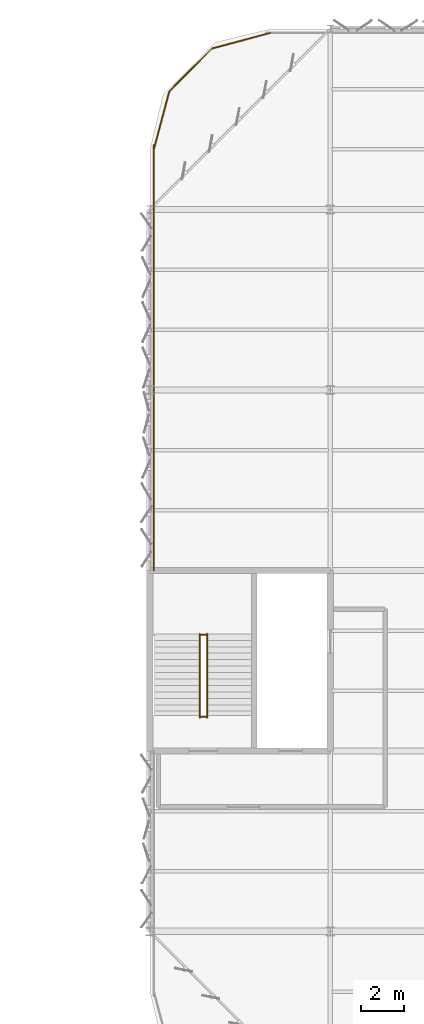
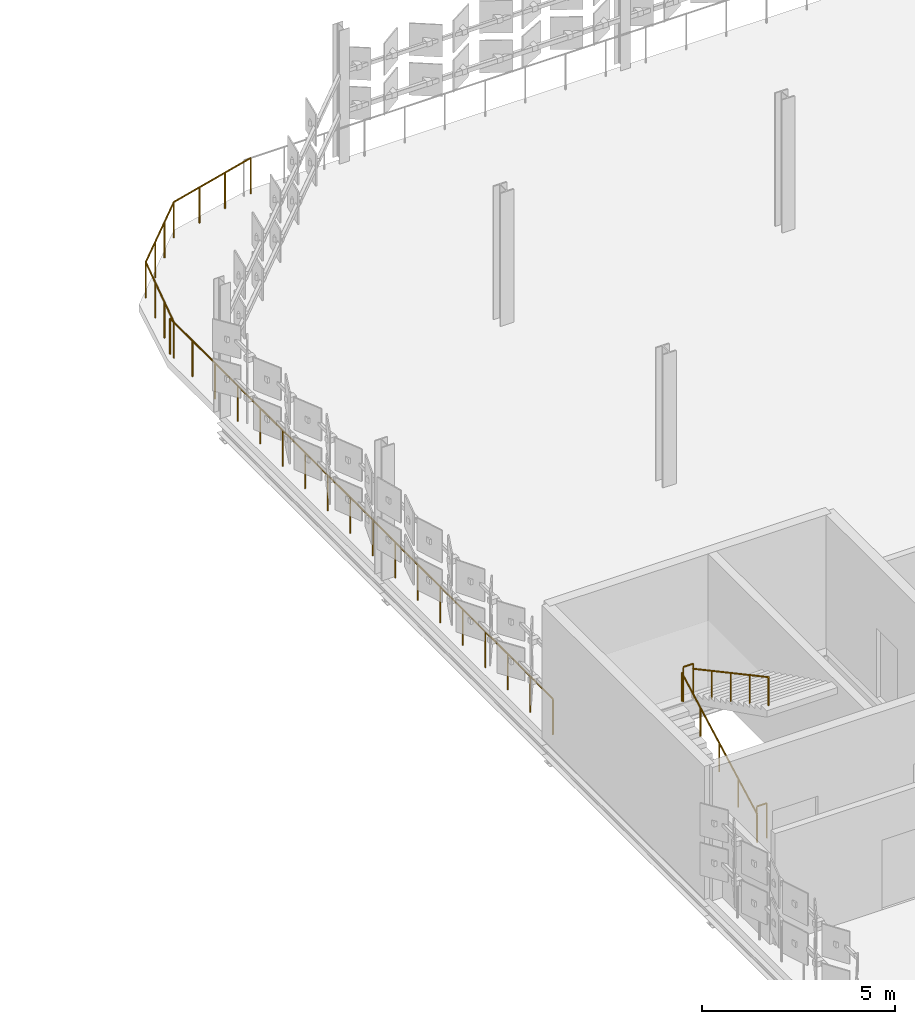
# One storey, part 158 of 163: 6 railings.
"""IFC4 building model written with IfcOpenShell, lengths in metres."""

from ifc_helpers import new_model, si_unit, direction, frame, origin, origin_2d, place, context, subcontext, project, spatial, circle, extrude, material, type_object, element, save


model = new_model("IFC4")

# Units and contexts
model_context = context("Model", 3, precision=1e-05, world=origin(), true_north=direction((0.0, 1.0)))
body_context = subcontext(model_context, "Body", "Model", "MODEL_VIEW")
ifc_project = project(units=[si_unit("LENGTHUNIT", "METRE"), si_unit("AREAUNIT", "SQUARE_METRE"), si_unit("VOLUMEUNIT", "CUBIC_METRE"), si_unit("PLANEANGLEUNIT", "RADIAN"), si_unit("MASSUNIT", "GRAM", prefix="KILO")], contexts=[model_context])

# Site, building, storey
site_placement = place(None, origin())
site = spatial("IfcSite", under=ifc_project, at=site_placement, CompositionType="ELEMENT")
building_placement = place(site_placement, origin())
building = spatial("IfcBuilding", under=site, at=building_placement, Name="Qalvenar Corner Mobility Hub", CompositionType="ELEMENT")
storey_placement = place(building_placement, frame((0.0, 0.0, 4.800048828125)))
storey = spatial("IfcBuildingStorey", under=building, at=storey_placement, Name="L01", CompositionType="ELEMENT", Elevation=4.800048828125)

# Railings
ifc_material_1 = material(Name="Art Nouveau Bronze-Finished Steel Balustrade", Category="steel")
railing_type_1 = type_object("IfcRailingType", Name="RL-GUARD-110", PredefinedType="GUARDRAIL", material=ifc_material_1)
for number, where, name in (
    (1, (61.139892578125, 85.60009765625, 0.0), "Stair Arrival Slot Guard C3-L01"),
    (2, (61.139892578125, 89.39990234375, 2.099853515625), "Stair Half-Landing Well Guard ST3-L01"),
):
    element("IfcRailing", number, at=place(storey_placement, frame(where)), inside=storey, type_object=railing_type_1, Name=name, PredefinedType="GUARDRAIL", context=body_context, shape_type="SweptSolid", body=[
        extrude(circle(Radius=0.02392578125, at=origin_2d()), frame((0.0, 0.0, 1.09619140625), z_axis=(1.0, 0.0, 0.0), x_axis=(0.0, 1.0, 0.0)), (0.0, 0.0, 1.0), 0.300048828125),
        extrude(circle(Radius=0.02099609375, at=origin_2d()), origin(), (0.0, 0.0, 1.0), 1.072021484375),
        extrude(circle(Radius=0.02099609375, at=origin_2d()), frame((0.300048828125, 0.0, 0.0)), (0.0, 0.0, 1.0), 1.072021484375),
    ])
ifc_material_2 = material(Name="Galvanised Steel Deck Edge Barrier", Category="steel")
railing_type_2 = type_object("IfcRailingType", Name="RL-GUARD-115", PredefinedType="GUARDRAIL", material=ifc_material_2)
railing_1_placement = place(storey_placement, frame((58.97998046875, 112.199951171875, 0.0)))
element("IfcRailing", 3, at=railing_1_placement, inside=storey, type_object=railing_type_2, Name="Parking Deck West-North Barrier L01", PredefinedType="GUARDRAIL", context=body_context, shape_type="SweptSolid", body=[
    extrude(circle(Radius=0.02392578125, at=origin_2d()), frame((0.0, 0.0, 1.1259765625), z_axis=(0.0, -1.0, 0.0), x_axis=(1.0, 0.0, 0.0)), (0.0, 0.0, 1.0), 19.800048828125),
    extrude(circle(Radius=0.02099609375, at=origin_2d()), origin(), (0.0, 0.0, 1.0), 1.101806640625),
    extrude(circle(Radius=0.02099609375, at=origin_2d()), frame((0.0, -1.164794921875, 0.0)), (0.0, 0.0, 1.0), 1.101806640625),
    extrude(circle(Radius=0.02099609375, at=origin_2d()), frame((0.0, -2.329345703125, 0.0)), (0.0, 0.0, 1.0), 1.101806640625),
    extrude(circle(Radius=0.02099609375, at=origin_2d()), frame((0.0, -3.494140625, 0.0)), (0.0, 0.0, 1.0), 1.101806640625),
    extrude(circle(Radius=0.02099609375, at=origin_2d()), frame((0.0, -4.658935546875, 0.0)), (0.0, 0.0, 1.0), 1.101806640625),
    extrude(circle(Radius=0.02099609375, at=origin_2d()), frame((0.0, -5.823486328125, 0.0)), (0.0, 0.0, 1.0), 1.101806640625),
    extrude(circle(Radius=0.02099609375, at=origin_2d()), frame((0.0, -6.98828125, 0.0)), (0.0, 0.0, 1.0), 1.101806640625),
    extrude(circle(Radius=0.02099609375, at=origin_2d()), frame((0.0, -8.153076171875, 0.0)), (0.0, 0.0, 1.0), 1.101806640625),
    extrude(circle(Radius=0.02099609375, at=origin_2d()), frame((0.0, -9.317626953125, 0.0)), (0.0, 0.0, 1.0), 1.101806640625),
    extrude(circle(Radius=0.02099609375, at=origin_2d()), frame((0.0, -10.482421875, 0.0)), (0.0, 0.0, 1.0), 1.101806640625),
    extrude(circle(Radius=0.02099609375, at=origin_2d()), frame((0.0, -11.64697265625, 0.0)), (0.0, 0.0, 1.0), 1.101806640625),
    extrude(circle(Radius=0.02099609375, at=origin_2d()), frame((0.0, -12.811767578125, 0.0)), (0.0, 0.0, 1.0), 1.101806640625),
    extrude(circle(Radius=0.02099609375, at=origin_2d()), frame((0.0, -13.9765625, 0.0)), (0.0, 0.0, 1.0), 1.101806640625),
    extrude(circle(Radius=0.02099609375, at=origin_2d()), frame((0.0, -15.14111328125, 0.0)), (0.0, 0.0, 1.0), 1.101806640625),
    extrude(circle(Radius=0.02099609375, at=origin_2d()), frame((0.0, -16.305908203125, 0.0)), (0.0, 0.0, 1.0), 1.101806640625),
    extrude(circle(Radius=0.02099609375, at=origin_2d()), frame((0.0, -17.470703125, 0.0)), (0.0, 0.0, 1.0), 1.101806640625),
    extrude(circle(Radius=0.02099609375, at=origin_2d()), frame((0.0, -18.63525390625, 0.0)), (0.0, 0.0, 1.0), 1.101806640625),
    extrude(circle(Radius=0.02099609375, at=origin_2d()), frame((0.0, -19.800048828125, 0.0)), (0.0, 0.0, 1.0), 1.101806640625),
])
railing_2_placement = place(storey_placement, frame((64.39990234375, 117.419921875, 0.0)))
element("IfcRailing", 4, at=railing_2_placement, inside=storey, type_object=railing_type_2, Name="Rounded Corner Barrier L01-NW", PredefinedType="GUARDRAIL", context=body_context, shape_type="SweptSolid", body=[
    extrude(circle(Radius=0.02392578125, at=origin_2d()), frame((0.0, 0.0, 1.1259765625), z_axis=(-0.965930961109, -0.258799880931, 0.0), x_axis=(0.258799880931, -0.965930961109, 0.0)), (0.0, 0.0, 1.0), 2.8056640625),
    extrude(circle(Radius=0.02392578125, at=origin_2d()), frame((-2.7099609375, -0.72607421875, 1.1259765625), z_axis=(-0.707106781187, -0.707106781187, 0.0), x_axis=(0.707106781187, -0.707106781187, 0.0)), (0.0, 0.0, 1.0), 2.8056640625),
    extrude(circle(Radius=0.02392578125, at=origin_2d()), frame((-4.69384765625, -2.7099609375, 1.1259765625), z_axis=(-0.258799880931, -0.965930961109, 0.0), x_axis=(0.965930961109, -0.258799880931, 0.0)), (0.0, 0.0, 1.0), 2.8056640625),
    extrude(circle(Radius=0.02099609375, at=origin_2d()), origin(), (0.0, 0.0, 1.0), 1.101806640625),
    extrude(circle(Radius=0.02099609375, at=origin_2d()), frame((-0.9033203125, -0.241943359375, 0.0)), (0.0, 0.0, 1.0), 1.101806640625),
    extrude(circle(Radius=0.02099609375, at=origin_2d()), frame((-1.806640625, -0.484130859375, 0.0)), (0.0, 0.0, 1.0), 1.101806640625),
    extrude(circle(Radius=0.02099609375, at=origin_2d()), frame((-2.7099609375, -0.72607421875, 0.0)), (0.0, 0.0, 1.0), 1.101806640625),
    extrude(circle(Radius=0.02099609375, at=origin_2d()), frame((-3.371337890625, -1.387451171875, 0.0)), (0.0, 0.0, 1.0), 1.101806640625),
    extrude(circle(Radius=0.02099609375, at=origin_2d()), frame((-4.032470703125, -2.048583984375, 0.0)), (0.0, 0.0, 1.0), 1.101806640625),
    extrude(circle(Radius=0.02099609375, at=origin_2d()), frame((-4.69384765625, -2.7099609375, 0.0)), (0.0, 0.0, 1.0), 1.101806640625),
    extrude(circle(Radius=0.02099609375, at=origin_2d()), frame((-4.935791015625, -3.61328125, 0.0)), (0.0, 0.0, 1.0), 1.101806640625),
    extrude(circle(Radius=0.02099609375, at=origin_2d()), frame((-5.177978515625, -4.5166015625, 0.0)), (0.0, 0.0, 1.0), 1.101806640625),
    extrude(circle(Radius=0.02099609375, at=origin_2d()), frame((-5.419921875, -5.419921875, 0.0)), (0.0, 0.0, 1.0), 1.101806640625),
])
ifc_material_3 = material(Name="Brushed Stainless Steel Handrail", Category="steel")
railing_type_3 = type_object("IfcRailingType", Name="RL-HAND-092", PredefinedType="HANDRAIL", material=ifc_material_3)
railing_3_placement = place(storey_placement, frame((61.1201171875, 85.550048828125, 0.0)))
element("IfcRailing", 5, at=railing_3_placement, inside=storey, type_object=railing_type_3, Name="Stair Handrail ST3-L01-1", PredefinedType="HANDRAIL", context=body_context, shape_type="SweptSolid", body=[
    extrude(circle(Radius=0.02392578125, at=origin_2d()), frame((0.0, 0.0, 0.89599609375), z_axis=(0.0, 0.88047994924, 0.474083388219), x_axis=(-1.0, 0.0, 0.0)), (0.0, 0.0, 1.0), 4.42919921875),
    extrude(circle(Radius=0.02099609375, at=origin_2d()), origin(), (0.0, 0.0, 1.0), 0.871826171875),
    extrude(circle(Radius=0.02099609375, at=origin_2d()), frame((0.0, 0.97509765625, 0.52490234375)), (0.0, 0.0, 1.0), 0.871826171875),
    extrude(circle(Radius=0.02099609375, at=origin_2d()), frame((0.0, 1.949951171875, 1.0498046875)), (0.0, 0.0, 1.0), 0.871826171875),
    extrude(circle(Radius=0.02099609375, at=origin_2d()), frame((0.0, 2.9248046875, 1.574951171875)), (0.0, 0.0, 1.0), 0.871826171875),
    extrude(circle(Radius=0.02099609375, at=origin_2d()), frame((0.0, 3.89990234375, 2.099853515625)), (0.0, 0.0, 1.0), 0.871826171875),
])
railing_4_placement = place(storey_placement, frame((61.4599609375, 89.449951171875, 2.099853515625)))
element("IfcRailing", 6, at=railing_4_placement, inside=storey, type_object=railing_type_3, Name="Stair Handrail ST3-L01-2", PredefinedType="HANDRAIL", context=body_context, shape_type="SweptSolid", body=[
    extrude(circle(Radius=0.02392578125, at=origin_2d()), frame((0.0, 0.0, 0.89599609375), z_axis=(0.0, -0.880456940745, 0.474126117709), x_axis=(1.0, 0.0, 0.0)), (0.0, 0.0, 1.0), 4.429443359375),
    extrude(circle(Radius=0.02099609375, at=origin_2d()), origin(), (0.0, 0.0, 1.0), 0.871826171875),
    extrude(circle(Radius=0.02099609375, at=origin_2d()), frame((0.0, -0.97509765625, 0.52490234375)), (0.0, 0.0, 1.0), 0.871826171875),
    extrude(circle(Radius=0.02099609375, at=origin_2d()), frame((0.0, -1.949951171875, 1.050048828125)), (0.0, 0.0, 1.0), 0.871826171875),
    extrude(circle(Radius=0.02099609375, at=origin_2d()), frame((0.0, -2.9248046875, 1.5751953125)), (0.0, 0.0, 1.0), 0.871826171875),
    extrude(circle(Radius=0.02099609375, at=origin_2d()), frame((0.0, -3.89990234375, 2.10009765625)), (0.0, 0.0, 1.0), 0.871826171875),
])

save(model, "model.ifc")
